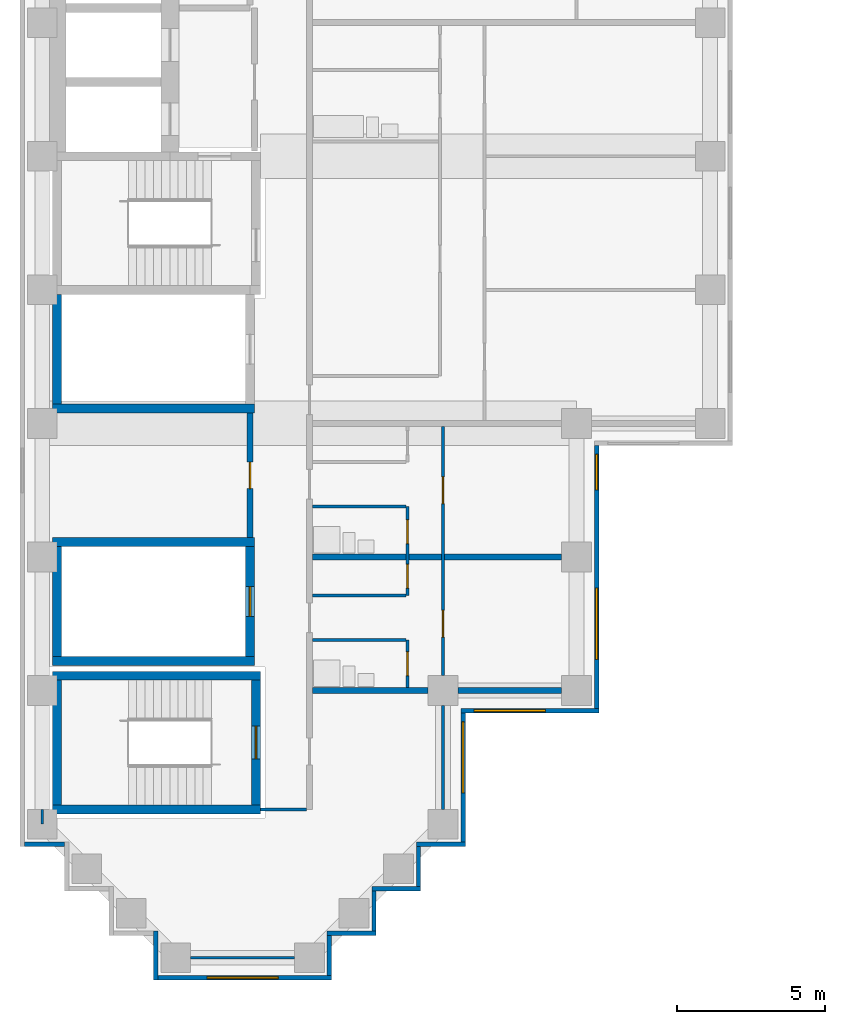
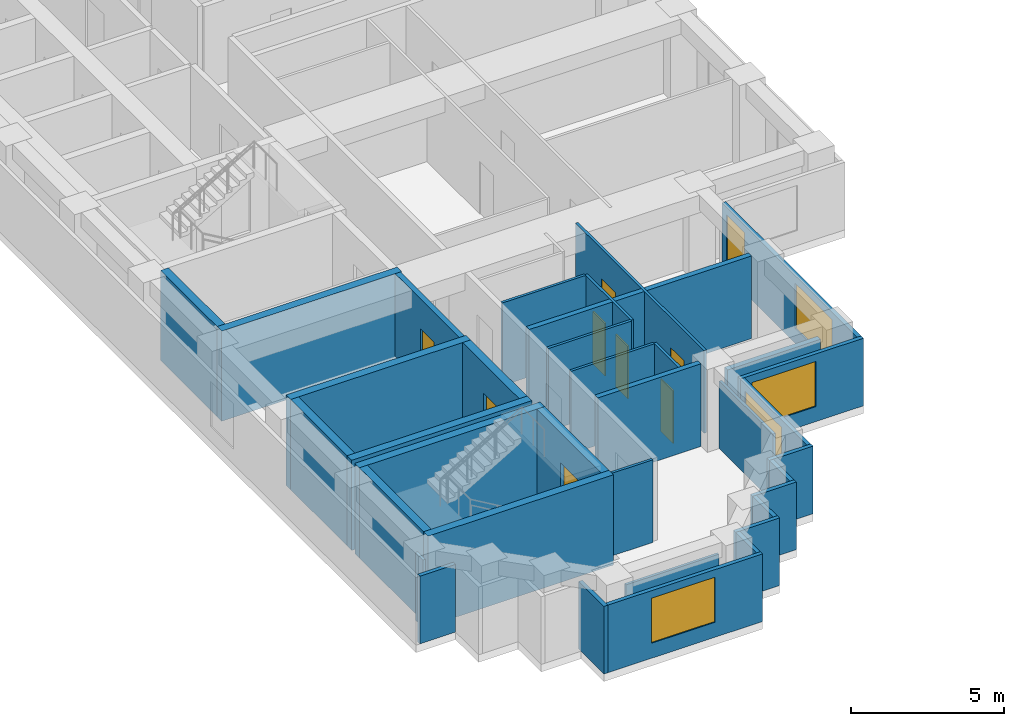
# One storey, part 2 of 12: 36 walls, 8 doors, 5 windows, 13 openings.
"""IFC4 building model written with IfcOpenShell, lengths in metres."""

import ifcopenshell
import ifcopenshell.guid

model = None  # the IFC model being written
_history = None  # IfcOwnerHistory: only IFC2X3 demands one
_inside = {}  # id of a spatial element -> (the spatial element, [elements in it])
_under = {}  # id of a project, library or spatial element -> (it, [spatial elements below it])
_declared = {}  # id of a project -> (the project, [libraries it declares])
_typed = {}  # id of a type object -> (the type object, [elements of that type])
_made_of = {}  # id of a material, layer set ... -> (it, [elements and type objects made of it])


def new_model(schema):
    """Start an empty IFC model of exactly this schema.

    Asked for "IFC4X3", IfcOpenShell would pick the latest addendum, in which some entities
    have other attributes; the version numbers below select the first issue.
    IFC2X3 requires an IfcOwnerHistory on every rooted entity: one is made here for all.
    """
    global model, _history
    if schema == "IFC4X3":
        model = ifcopenshell.file(schema_version=(4, 3, 0, 0))
    else:
        model = ifcopenshell.file(schema=schema)
    _inside.clear()
    _under.clear()
    _declared.clear()
    _typed.clear()
    _made_of.clear()
    _history = None
    if model.schema == "IFC2X3":
        org = make("IfcOrganization", Name="unknown")
        user = make(
            "IfcPersonAndOrganization",
            ThePerson=make("IfcPerson", FamilyName="unknown"),
            TheOrganization=org,
        )
        app = make(
            "IfcApplication",
            ApplicationDeveloper=org,
            Version="unknown",
            ApplicationFullName="unknown",
            ApplicationIdentifier="unknown",
        )
        _history = make(
            "IfcOwnerHistory",
            OwningUser=user,
            OwningApplication=app,
            ChangeAction="ADDED",
            CreationDate=0,
        )
    return model


def make(cls, **values):
    """One entity of the class cls with the attributes given. An attribute that is None is left unset."""
    return model.create_entity(
        cls, **{name: value for name, value in values.items() if value is not None}
    )


def rooted(cls, **values):
    """An entity with a GlobalId (a new one), such as an element, a storey or a relation."""
    return make(cls, GlobalId=ifcopenshell.guid.new(), OwnerHistory=_history, **values)


def si_unit(unit_type, name, prefix=None):
    """IfcSIUnit, for example si_unit("LENGTHUNIT", "METRE", prefix="MILLI")."""
    return make("IfcSIUnit", UnitType=unit_type, Prefix=prefix, Name=name)


def assignment(units):
    """IfcUnitAssignment: the units of a project."""
    return None if units is None else make("IfcUnitAssignment", Units=units)


def point(xyz):
    """IfcCartesianPoint."""
    return None if xyz is None else make("IfcCartesianPoint", Coordinates=xyz)


def direction(xyz):
    """IfcDirection."""
    return None if xyz is None else make("IfcDirection", DirectionRatios=xyz)


def frame(location, z_axis=None, x_axis=None):
    """IfcAxis2Placement3D, a coordinate frame: its origin and axes. An axis left out is left unset."""
    return make(
        "IfcAxis2Placement3D",
        Location=point(location),
        Axis=direction(z_axis),
        RefDirection=direction(x_axis),
    )


def frame_2d(location, x_axis=None):
    """IfcAxis2Placement2D, a coordinate frame in the plane: its origin and x axis."""
    return make(
        "IfcAxis2Placement2D", Location=point(location), RefDirection=direction(x_axis)
    )


def origin():
    """The frame at (0, 0, 0) with its axes left unset."""
    return frame((0.0, 0.0, 0.0))


def place(relative_to, where):
    """IfcLocalPlacement: puts the frame where relative to a parent placement (None: the world)."""
    return make(
        "IfcLocalPlacement", PlacementRelTo=relative_to, RelativePlacement=where
    )


def context(
    kind, dimensions, precision=None, world=None, true_north=None, identifier=None
):
    """IfcGeometricRepresentationContext, for example the 3D "Model" context."""
    return make(
        "IfcGeometricRepresentationContext",
        ContextIdentifier=identifier,
        ContextType=kind,
        CoordinateSpaceDimension=dimensions,
        Precision=precision,
        WorldCoordinateSystem=world,
        TrueNorth=true_north,
    )


def subcontext(parent, identifier, kind, view, scale=None):
    """IfcGeometricRepresentationSubContext, for example "Body" below "Model"."""
    return make(
        "IfcGeometricRepresentationSubContext",
        ContextIdentifier=identifier,
        ContextType=kind,
        ParentContext=parent,
        TargetScale=scale,
        TargetView=view,
    )


def project(units=None, contexts=None):
    """IfcProject with its units and contexts."""
    return rooted(
        "IfcProject",
        Name="project",
        RepresentationContexts=contexts,
        UnitsInContext=assignment(units),
    )


def spatial(cls, under=None, at=None, **own):
    """A site, building, storey or space (cls), placed at a placement, below another one or the project."""
    s = rooted(cls, ObjectPlacement=at, **own)
    if under is not None:
        _under.setdefault(under.id(), (under, []))[1].append(s)
    return s


def profile(cls, at=None, kind="AREA", **sizes):
    """A parametric profile (cls). Its sizes go by their IFC names, for example OverallWidth=200.0."""
    return make(cls, ProfileType=kind, Position=at, **sizes)


def rectangle(**sizes):
    """IfcRectangleProfileDef."""
    return profile("IfcRectangleProfileDef", **sizes)


def extrude(swept, where, along, depth):
    """IfcExtrudedAreaSolid: the profile swept, set in the frame where, extruded along a direction by depth."""
    return make(
        "IfcExtrudedAreaSolid",
        SweptArea=swept,
        Position=where,
        ExtrudedDirection=direction(along),
        Depth=depth,
    )


def shape(context_of_items, identifier, shape_type, items):
    """IfcShapeRepresentation: the items that make up one representation, for example the "Body"."""
    return make(
        "IfcShapeRepresentation",
        ContextOfItems=context_of_items,
        RepresentationIdentifier=identifier,
        RepresentationType=shape_type,
        Items=items,
    )


def material(Name=None, Category=None):
    """IfcMaterial."""
    return make("IfcMaterial", Name=Name, Category=Category)


def layer(
    of_material, thickness, ventilated=None, Name=None, Category=None, Priority=None
):
    """IfcMaterialLayer: one layer of a wall or slab, of a material (None: an air gap)."""
    return make(
        "IfcMaterialLayer",
        Material=of_material,
        LayerThickness=thickness,
        IsVentilated=ventilated,
        Name=Name,
        Category=Category,
        Priority=Priority,
    )


def layer_set(layers, Name=None):
    """IfcMaterialLayerSet."""
    return make("IfcMaterialLayerSet", MaterialLayers=layers, LayerSetName=Name)


def made_of(thing, what):
    """Note that an element or type object is made of a material, layer set ...; save() writes the relation."""
    if what is not None:
        _made_of.setdefault(what.id(), (what, []))[1].append(thing)
    return thing


def type_object(cls, material=None, **own):
    """A type object (cls), such as IfcWallType, which elements share."""
    return made_of(rooted(cls, **own), material)


def element(
    cls,
    number,
    at=None,
    inside=None,
    cuts=None,
    type_object=None,
    material=None,
    context=None,
    identifier="Body",
    shape_type=None,
    held_by="IfcProductDefinitionShape",
    body=None,
    shapes=None,
    **own,
):
    """One element of the class cls, such as IfcWall. Its Tag is "e" and its number.

    at: its placement. inside: the storey or other place that contains it. cuts: it is an
    opening in that element (IfcRelVoidsElement). A single representation is given by context,
    identifier, shape_type and body (its items); several are given by shapes. held_by: the class
    of the entity that holds the representations. save() writes the other relations.
    """
    e = rooted(cls, Tag="e%d" % number, ObjectPlacement=at, **own)
    if body is not None:
        shapes = [shape(context, identifier, shape_type, body)]
    if shapes is not None:
        e.Representation = make(held_by, Representations=shapes)
    if inside is not None:
        _inside.setdefault(inside.id(), (inside, []))[1].append(e)
    if cuts is not None:
        rooted(
            "IfcRelVoidsElement", RelatingBuildingElement=cuts, RelatedOpeningElement=e
        )
    if type_object is not None:
        _typed.setdefault(type_object.id(), (type_object, []))[1].append(e)
    return made_of(e, material)


def fill(opening, filler):
    """IfcRelFillsElement: the door or window that sits in an opening."""
    return rooted(
        "IfcRelFillsElement",
        RelatingOpeningElement=opening,
        RelatedBuildingElement=filler,
    )


def aggregate(whole, parts):
    """IfcRelAggregates: a whole, such as a stair, and the parts it consists of."""
    return rooted("IfcRelAggregates", RelatingObject=whole, RelatedObjects=parts)


def save(model, path):
    """Write the relations noted so far, then the file.

    IfcRelAggregates (storeys below a building ...), IfcRelContainedInSpatialStructure (elements
    in a storey), IfcRelDefinesByType, IfcRelAssociatesMaterial and IfcRelDeclares: one each for
    every whole, place, type object, material and project.
    """
    for whole, parts in _under.values():
        aggregate(whole, parts)
    for where, things in _inside.values():
        rooted(
            "IfcRelContainedInSpatialStructure",
            RelatedElements=things,
            RelatingStructure=where,
        )
    for kind, things in _typed.values():
        rooted("IfcRelDefinesByType", RelatedObjects=things, RelatingType=kind)
    for what, things in _made_of.values():
        rooted("IfcRelAssociatesMaterial", RelatedObjects=things, RelatingMaterial=what)
    for by, libraries in _declared.values():
        rooted("IfcRelDeclares", RelatingContext=by, RelatedDefinitions=libraries)
    model.write(path)


model = new_model("IFC4")

# Units and contexts
model_context = context("Model", 3, precision=1e-05, world=origin(), true_north=direction((0.0, 1.0)))
body_context = subcontext(model_context, "Body", "Model", "MODEL_VIEW")
ifc_project = project(units=[si_unit("LENGTHUNIT", "METRE"), si_unit("AREAUNIT", "SQUARE_METRE"), si_unit("VOLUMEUNIT", "CUBIC_METRE"), si_unit("PLANEANGLEUNIT", "RADIAN"), si_unit("MASSUNIT", "GRAM", prefix="KILO")], contexts=[model_context])

# Site, building, storey
site_placement = place(None, origin())
site = spatial("IfcSite", under=ifc_project, at=site_placement, CompositionType="ELEMENT")
building_placement = place(site_placement, origin())
building = spatial("IfcBuilding", under=site, at=building_placement, Name="Firuza Court", CompositionType="ELEMENT")
storey_placement = place(building_placement, frame((0.0, 0.0, 166.39990234375)))
storey = spatial("IfcBuildingStorey", under=building, at=storey_placement, Name="L42", CompositionType="ELEMENT", Elevation=166.39990234375)

# Walls
ifc_material_1 = material(Name="Moisture-resistant gypsum board partition")
ifc_layer_1 = layer(ifc_material_1, 0.10009765625)
ifc_layer_set_1 = layer_set([ifc_layer_1], Name="Moisture-resistant gypsum board partition")
wall_type_1 = type_object("IfcWallType", Name="Bathroom partition 100", PredefinedType="PLUMBINGWALL", material=ifc_layer_set_1)
for number, where, z_axis, x_axis, name in (
    (1, (9.10009765625, 10.699951171875, 0.0), (0.0, 0.0, 1.0), (1.0, 0.0, 0.0), "Bathroom partition 100 L42"),
    (2, (9.10009765625, 15.199951171875, 0.0), (0.0, 0.0, 1.0), (1.0, 0.0, 0.0), "Bathroom partition 100 L42"),
):
    element("IfcWall", number, at=place(storey_placement, frame(where, z_axis=z_axis, x_axis=x_axis)), inside=storey, type_object=wall_type_1, Name=name, PredefinedType="PLUMBINGWALL", context=body_context, shape_type="SweptSolid", body=[
        extrude(rectangle(XDim=3.14990234375, YDim=0.10009765625, at=frame_2d((1.574951171875, 0.0))), origin(), (0.0, 0.0, 1.0), 3.300048828125),
    ])
ifc_material_2 = material(Name="Concrete C60/75", Category="concrete")
ifc_layer_2 = layer(ifc_material_2, 0.300048828125)
ifc_layer_set_2 = layer_set([ifc_layer_2], Name="Concrete C60/75")
wall_type_2 = type_object("IfcWallType", Name="Core wall 300 C60/75", PredefinedType="SHEAR", material=ifc_layer_set_2)
for number, where, z_axis, x_axis, name in (
    (3, (0.35009765625, 5.0, -0.2998046875), (0.0, 0.0, 1.0), (1.0, 0.0, 0.0), "Core wall stair L42"),
    (4, (0.35009765625, 9.5, -0.2998046875), (0.0, 0.0, 1.0), (1.0, 0.0, 0.0), "Core wall stair L42"),
):
    element("IfcWall", number, at=place(storey_placement, frame(where, z_axis=z_axis, x_axis=x_axis)), inside=storey, type_object=wall_type_2, Name=name, PredefinedType="SHEAR", context=body_context, shape_type="SweptSolid", body=[
        extrude(rectangle(XDim=7.0, YDim=0.300048828125, at=frame_2d((3.5, 0.0))), origin(), (0.0, 0.0, 1.0), 3.599853515625),
    ])
for number, where, z_axis, x_axis, name in (
    (5, (0.35009765625, 10.0, -0.2998046875), (0.0, 0.0, 1.0), (1.0, 0.0, 0.0), "Core wall riser L42"),
    (6, (0.35009765625, 14.0, -0.2998046875), (0.0, 0.0, 1.0), (1.0, 0.0, 0.0), "Core wall riser L42"),
    (7, (0.35009765625, 18.5, -0.2998046875), (0.0, 0.0, 1.0), (1.0, 0.0, 0.0), "Core wall riser L42"),
):
    element("IfcWall", number, at=place(storey_placement, frame(where, z_axis=z_axis, x_axis=x_axis)), inside=storey, type_object=wall_type_2, Name=name, PredefinedType="SHEAR", context=body_context, shape_type="SweptSolid", body=[
        extrude(rectangle(XDim=6.7998046875, YDim=0.300048828125, at=frame_2d((3.39990234375, 0.0))), origin(), (0.0, 0.0, 1.0), 3.599853515625),
    ])
wall_1_placement = place(storey_placement, frame((0.5, 5.14990234375, -0.2998046875), z_axis=(0.0, 0.0, 1.0), x_axis=(0.0, 1.0, 0.0)))
element("IfcWall", 8, at=wall_1_placement, inside=storey, type_object=wall_type_2, Name="Core wall stair L42", PredefinedType="SHEAR", context=body_context, shape_type="SweptSolid", body=[
    extrude(rectangle(XDim=4.2001953125, YDim=0.300048828125, at=frame_2d((2.10009765625, 0.0))), origin(), (0.0, 0.0, 1.0), 3.599853515625),
])
for number, where, z_axis, x_axis, name in (
    (9, (0.5, 10.14990234375, -0.2998046875), (0.0, 0.0, 1.0), (0.0, 1.0, 0.0), "Core wall riser L42"),
    (10, (0.5, 18.64990234375, -0.2998046875), (0.0, 0.0, 1.0), (0.0, 1.0, 0.0), "Core wall riser L42"),
):
    element("IfcWall", number, at=place(storey_placement, frame(where, z_axis=z_axis, x_axis=x_axis)), inside=storey, type_object=wall_type_2, Name=name, PredefinedType="SHEAR", context=body_context, shape_type="SweptSolid", body=[
        extrude(rectangle(XDim=3.7001953125, YDim=0.300048828125, at=frame_2d((1.85009765625, 0.0))), origin(), (0.0, 0.0, 1.0), 3.599853515625),
    ])

# Wall, opening, door
wall_2_placement = place(storey_placement, frame((7.0, 10.14990234375, -0.2998046875), z_axis=(0.0, 0.0, 1.0), x_axis=(0.0, 1.0, 0.0)))
wall_2 = element("IfcWall", 11, at=wall_2_placement, inside=storey, type_object=wall_type_2, Name="Core wall riser L42", PredefinedType="SHEAR", context=body_context, shape_type="SweptSolid", body=[
    extrude(rectangle(XDim=3.7001953125, YDim=0.300048828125, at=frame_2d((1.85009765625, 0.0))), origin(), (0.0, 0.0, 1.0), 3.599853515625),
])
opening_1_placement = place(wall_2_placement, frame((1.35009765625, 0.0, 0.300048828125)))
opening_1 = element("IfcOpeningElement", 12, at=opening_1_placement, cuts=wall_2, Name="Opening D42011", PredefinedType="OPENING", context=body_context, shape_type="SweptSolid", body=[
    extrude(rectangle(XDim=1.0, YDim=2.10009765625, at=frame_2d((0.5, 1.050048828125))), frame((0.0, 0.162109375, 0.0), z_axis=(0.0, -1.0, 0.0), x_axis=(1.0, 0.0, 0.0)), (0.0, 0.0, 1.0), 0.323974609375),
])
ifc_material_3 = material(Name="Timber door leaf in hardwood frame", Category="wood")
door_type_1 = type_object("IfcDoorType", Name="Riser door 1000", OperationType="SINGLE_SWING_LEFT", PredefinedType="DOOR", material=ifc_material_3)
door_1_placement = place(opening_1_placement, origin())
door_1 = element("IfcDoor", 13, at=door_1_placement, inside=storey, type_object=door_type_1, Name="Riser door R4", OperationType="SINGLE_SWING_LEFT", OverallHeight=2.10009765625, OverallWidth=1.0, PredefinedType="DOOR", context=body_context, shape_type="SweptSolid", body=[
    extrude(rectangle(XDim=1.0, YDim=2.10009765625, at=frame_2d((0.5, 1.050048828125))), frame((0.0, 0.02490234375, 0.0), z_axis=(0.0, -1.0, 0.0), x_axis=(1.0, 0.0, 0.0)), (0.0, 0.0, 1.0), 0.050048828125),
])
fill(opening_1, door_1)

wall_3_placement = place(storey_placement, frame((7.199951171875, 5.14990234375, -0.2998046875), z_axis=(0.0, 0.0, 1.0), x_axis=(0.0, 1.0, 0.0)))
wall_3 = element("IfcWall", 14, at=wall_3_placement, inside=storey, type_object=wall_type_2, Name="Core wall stair L42", PredefinedType="SHEAR", context=body_context, shape_type="SweptSolid", body=[
    extrude(rectangle(XDim=4.2001953125, YDim=0.300048828125, at=frame_2d((2.10009765625, 0.0))), origin(), (0.0, 0.0, 1.0), 3.599853515625),
])
opening_2_placement = place(wall_3_placement, frame((1.550048828125, 0.0, 0.300048828125)))
opening_2 = element("IfcOpeningElement", 15, at=opening_2_placement, cuts=wall_3, Name="Opening D42017", PredefinedType="OPENING", context=body_context, shape_type="SweptSolid", body=[
    extrude(rectangle(XDim=1.10009765625, YDim=2.10009765625, at=frame_2d((0.550048828125, 1.050048828125))), frame((0.0, 0.162109375, 0.0), z_axis=(0.0, -1.0, 0.0), x_axis=(1.0, 0.0, 0.0)), (0.0, 0.0, 1.0), 0.323974609375),
])
ifc_material_4 = material(Name="Timber door leaf in hardwood frame", Category="wood")
door_type_2 = type_object("IfcDoorType", Name="Stair door 1100", OperationType="SINGLE_SWING_LEFT", PredefinedType="DOOR", material=ifc_material_4)
door_2_placement = place(opening_2_placement, origin())
door_2 = element("IfcDoor", 16, at=door_2_placement, inside=storey, type_object=door_type_2, Name="Stair door S5", OperationType="SINGLE_SWING_LEFT", OverallHeight=2.10009765625, OverallWidth=1.10009765625, PredefinedType="DOOR", context=body_context, shape_type="SweptSolid", body=[
    extrude(rectangle(XDim=1.10009765625, YDim=2.10009765625, at=frame_2d((0.550048828125, 1.050048828125))), frame((0.0, 0.02490234375, 0.0), z_axis=(0.0, -1.0, 0.0), x_axis=(1.0, 0.0, 0.0)), (0.0, 0.0, 1.0), 0.050048828125),
])
fill(opening_2, door_2)

ifc_material_5 = material(Name="Blockwork, plastered both sides", Category="masonry")
ifc_layer_3 = layer(ifc_material_5, 0.199951171875)
ifc_layer_set_3 = layer_set([ifc_layer_3], Name="Blockwork, plastered both sides")
wall_type_3 = type_object("IfcWallType", Name="Corridor wall 200", PredefinedType="PARTITIONING", material=ifc_layer_set_3)
wall_4_placement = place(storey_placement, frame((7.0, 14.14990234375, 0.0), z_axis=(0.0, 0.0, 1.0), x_axis=(0.0, 1.0, 0.0)))
wall_4 = element("IfcWall", 17, at=wall_4_placement, inside=storey, type_object=wall_type_3, Name="Corridor wall 200 L42", PredefinedType="PARTITIONING", context=body_context, shape_type="SweptSolid", body=[
    extrude(rectangle(XDim=4.2001953125, YDim=0.199951171875, at=frame_2d((2.10009765625, 0.0))), origin(), (0.0, 0.0, 1.0), 3.300048828125),
])
opening_3_placement = place(wall_4_placement, frame((1.64990234375, 0.0, 0.0)))
opening_3 = element("IfcOpeningElement", 18, at=opening_3_placement, cuts=wall_4, Name="Opening D42027", PredefinedType="OPENING", context=body_context, shape_type="SweptSolid", body=[
    extrude(rectangle(XDim=0.89990234375, YDim=2.10009765625, at=frame_2d((0.449951171875, 1.050048828125))), frame((0.0, 0.11181640625, 0.0), z_axis=(0.0, -1.0, 0.0), x_axis=(1.0, 0.0, 0.0)), (0.0, 0.0, 1.0), 0.223876953125),
])
ifc_material_6 = material(Name="Timber door leaf in hardwood frame", Category="wood")
door_type_3 = type_object("IfcDoorType", Name="Room door 900 EI 30", OperationType="SINGLE_SWING_LEFT", PredefinedType="DOOR", material=ifc_material_6)
door_3_placement = place(opening_3_placement, origin())
door_3 = element("IfcDoor", 19, at=door_3_placement, inside=storey, type_object=door_type_3, Name="Meeting room door", OperationType="SINGLE_SWING_LEFT", OverallHeight=2.10009765625, OverallWidth=0.89990234375, PredefinedType="DOOR", context=body_context, shape_type="SweptSolid", body=[
    extrude(rectangle(XDim=0.89990234375, YDim=2.10009765625, at=frame_2d((0.449951171875, 1.050048828125))), frame((0.0, 0.02490234375, 0.0), z_axis=(0.0, -1.0, 0.0), x_axis=(1.0, 0.0, 0.0)), (0.0, 0.0, 1.0), 0.050048828125),
])
fill(opening_3, door_3)

# Walls
ifc_material_7 = material(Name="Timber stud partition, plasterboard both sides", Category="wood")
ifc_layer_4 = layer(ifc_material_7, 0.10009765625)
ifc_layer_set_4 = layer_set([ifc_layer_4], Name="Timber stud partition, plasterboard both sides")
wall_type_4 = type_object("IfcWallType", Name="Partition wall 100", PredefinedType="PARTITIONING", material=ifc_layer_set_4)
wall_5_placement = place(storey_placement, frame((5.0, 0.0, 0.0), z_axis=(0.0, 0.0, 1.0), x_axis=(1.0, 0.0, 0.0)))
element("IfcWall", 20, at=wall_5_placement, inside=storey, type_object=wall_type_4, Name="Partition wall 100 L42", PredefinedType="PARTITIONING", context=body_context, shape_type="SweptSolid", body=[
    extrude(rectangle(XDim=3.5, YDim=0.10009765625, at=frame_2d((1.75, 0.0))), origin(), (0.0, 0.0, 1.0), 2.7001953125),
])
wall_6_placement = place(storey_placement, frame((0.0, 4.5, 0.0), z_axis=(0.0, 0.0, 1.0), x_axis=(0.0, 1.0, 0.0)))
element("IfcWall", 21, at=wall_6_placement, inside=storey, type_object=wall_type_4, Name="Partition wall 100 L42", PredefinedType="PARTITIONING", context=body_context, shape_type="SweptSolid", body=[
    extrude(rectangle(XDim=0.5, YDim=0.10009765625, at=frame_2d((0.25, 0.0))), origin(), (0.0, 0.0, 1.0), 2.7001953125),
])
wall_7_placement = place(storey_placement, frame((7.34912109375, 5.0, 0.0), z_axis=(0.0, 0.0, 1.0), x_axis=(1.0, 0.0, 0.0)))
element("IfcWall", 22, at=wall_7_placement, inside=storey, type_object=wall_type_4, Name="Partition wall 100 L42", PredefinedType="PARTITIONING", context=body_context, shape_type="SweptSolid", body=[
    extrude(rectangle(XDim=1.55078125, YDim=0.10009765625, at=frame_2d((0.775390625, 0.0))), origin(), (0.0, 0.0, 1.0), 3.300048828125),
])
wall_8_placement = place(storey_placement, frame((13.5, 5.0, 0.0), z_axis=(0.0, 0.0, 1.0), x_axis=(0.0, 1.0, 0.0)))
element("IfcWall", 23, at=wall_8_placement, inside=storey, type_object=wall_type_4, Name="Partition wall 100 L42", PredefinedType="PARTITIONING", context=body_context, shape_type="SweptSolid", body=[
    extrude(rectangle(XDim=3.5, YDim=0.10009765625, at=frame_2d((1.75, 0.0))), origin(), (0.0, 0.0, 1.0), 2.7001953125),
])

# Wall, opening, door
wall_9_placement = place(storey_placement, frame((12.300048828125, 9.10009765625, 0.0), z_axis=(0.0, 0.0, 1.0), x_axis=(0.0, 1.0, 0.0)))
wall_9 = element("IfcWall", 24, at=wall_9_placement, inside=storey, type_object=wall_type_4, Name="Partition wall 100 L42", PredefinedType="PARTITIONING", context=body_context, shape_type="SweptSolid", body=[
    extrude(rectangle(XDim=1.599853515625, YDim=0.10009765625, at=frame_2d((0.7998046875, 0.0))), origin(), (0.0, 0.0, 1.0), 3.300048828125),
])
opening_4_placement = place(wall_9_placement, frame((0.39990234375, 0.0, 0.0)))
opening_4 = element("IfcOpeningElement", 25, at=opening_4_placement, cuts=wall_9, Name="Opening D42022", PredefinedType="OPENING", context=body_context, shape_type="SweptSolid", body=[
    extrude(rectangle(XDim=0.800048828125, YDim=2.10009765625, at=frame_2d((0.39990234375, 1.050048828125))), frame((0.0, 0.06201171875, 0.0), z_axis=(0.0, -1.0, 0.0), x_axis=(1.0, 0.0, 0.0)), (0.0, 0.0, 1.0), 0.1240234375),
])
ifc_material_8 = material(Name="Timber door leaf in hardwood frame", Category="wood")
door_type_4 = type_object("IfcDoorType", Name="Bathroom door 800", OperationType="SINGLE_SWING_LEFT", PredefinedType="DOOR", material=ifc_material_8)
door_4_placement = place(opening_4_placement, origin())
door_4 = element("IfcDoor", 26, at=door_4_placement, inside=storey, type_object=door_type_4, Name="Bathroom door", OperationType="SINGLE_SWING_RIGHT", OverallHeight=2.10009765625, OverallWidth=0.800048828125, PredefinedType="DOOR", context=body_context, shape_type="SweptSolid", body=[
    extrude(rectangle(XDim=0.800048828125, YDim=2.10009765625, at=frame_2d((0.39990234375, 1.050048828125))), frame((0.0, 0.02490234375, 0.0), z_axis=(0.0, -1.0, 0.0), x_axis=(1.0, 0.0, 0.0)), (0.0, 0.0, 1.0), 0.050048828125),
])
fill(opening_4, door_4)

# Wall, openings, doors
wall_10_placement = place(storey_placement, frame((13.5, 9.5, 0.0), z_axis=(0.0, 0.0, 1.0), x_axis=(0.0, 1.0, 0.0)))
wall_10 = element("IfcWall", 27, at=wall_10_placement, inside=storey, type_object=wall_type_4, Name="Partition wall 100 L42", PredefinedType="PARTITIONING", context=body_context, shape_type="SweptSolid", body=[
    extrude(rectangle(XDim=8.39990234375, YDim=0.10009765625, at=frame_2d((4.199951171875, 0.0))), origin(), (0.0, 0.0, 1.0), 3.300048828125),
])
opening_5_placement = place(wall_10_placement, frame((5.800048828125, 0.0, 0.0)))
opening_5 = element("IfcOpeningElement", 28, at=opening_5_placement, cuts=wall_10, Name="Opening D42023", PredefinedType="OPENING", context=body_context, shape_type="SweptSolid", body=[
    extrude(rectangle(XDim=0.89990234375, YDim=2.10009765625, at=frame_2d((0.449951171875, 1.050048828125))), frame((0.0, 0.06201171875, 0.0), z_axis=(0.0, -1.0, 0.0), x_axis=(1.0, 0.0, 0.0)), (0.0, 0.0, 1.0), 0.1240234375),
])
opening_6_placement = place(wall_10_placement, frame((1.300048828125, 0.0, 0.0)))
opening_6 = element("IfcOpeningElement", 29, at=opening_6_placement, cuts=wall_10, Name="Opening D42024", PredefinedType="OPENING", context=body_context, shape_type="SweptSolid", body=[
    extrude(rectangle(XDim=0.89990234375, YDim=2.10009765625, at=frame_2d((0.449951171875, 1.050048828125))), frame((0.0, 0.06201171875, 0.0), z_axis=(0.0, -1.0, 0.0), x_axis=(1.0, 0.0, 0.0)), (0.0, 0.0, 1.0), 0.1240234375),
])
ifc_material_9 = material(Name="Timber door leaf in hardwood frame", Category="wood")
door_type_5 = type_object("IfcDoorType", Name="Room door 900", OperationType="SINGLE_SWING_LEFT", PredefinedType="DOOR", material=ifc_material_9)
door_5_placement = place(opening_5_placement, frame((0.89990234375, 0.0, 0.0), z_axis=(0.0, 0.0, 1.0), x_axis=(-1.0, 0.0, 0.0)))
door_5 = element("IfcDoor", 30, at=door_5_placement, inside=storey, type_object=door_type_5, Name="Studio room door", OperationType="SINGLE_SWING_RIGHT", OverallHeight=2.10009765625, OverallWidth=0.89990234375, PredefinedType="DOOR", context=body_context, shape_type="SweptSolid", body=[
    extrude(rectangle(XDim=0.89990234375, YDim=2.10009765625, at=frame_2d((0.449951171875, 1.050048828125))), frame((0.0, 0.02490234375, 0.0), z_axis=(0.0, -1.0, 0.0), x_axis=(1.0, 0.0, 0.0)), (0.0, 0.0, 1.0), 0.050048828125),
])
fill(opening_5, door_5)
door_6_placement = place(opening_6_placement, frame((0.89990234375, 0.0, 0.0), z_axis=(0.0, 0.0, 1.0), x_axis=(-1.0, 0.0, 0.0)))
door_6 = element("IfcDoor", 31, at=door_6_placement, inside=storey, type_object=door_type_5, Name="Studio room door", OperationType="SINGLE_SWING_RIGHT", OverallHeight=2.10009765625, OverallWidth=0.89990234375, PredefinedType="DOOR", context=body_context, shape_type="SweptSolid", body=[
    extrude(rectangle(XDim=0.89990234375, YDim=2.10009765625, at=frame_2d((0.449951171875, 1.050048828125))), frame((0.0, 0.02490234375, 0.0), z_axis=(0.0, -1.0, 0.0), x_axis=(1.0, 0.0, 0.0)), (0.0, 0.0, 1.0), 0.050048828125),
])
fill(opening_6, door_6)

# Wall
wall_11_placement = place(storey_placement, frame((9.10009765625, 12.199951171875, 0.0), z_axis=(0.0, 0.0, 1.0), x_axis=(1.0, 0.0, 0.0)))
element("IfcWall", 32, at=wall_11_placement, inside=storey, type_object=wall_type_4, Name="Partition wall 100 L42", PredefinedType="PARTITIONING", context=body_context, shape_type="SweptSolid", body=[
    extrude(rectangle(XDim=3.14990234375, YDim=0.10009765625, at=frame_2d((1.574951171875, 0.0))), origin(), (0.0, 0.0, 1.0), 3.300048828125),
])

# Wall, openings, doors
wall_12_placement = place(storey_placement, frame((12.300048828125, 12.199951171875, 0.0), z_axis=(0.0, 0.0, 1.0), x_axis=(0.0, 1.0, 0.0)))
wall_12 = element("IfcWall", 33, at=wall_12_placement, inside=storey, type_object=wall_type_4, Name="Partition wall 100 L42", PredefinedType="PARTITIONING", context=body_context, shape_type="SweptSolid", body=[
    extrude(rectangle(XDim=3.0, YDim=0.10009765625, at=frame_2d((1.5, 0.0))), origin(), (0.0, 0.0, 1.0), 3.300048828125),
])
opening_7_placement = place(wall_12_placement, frame((1.75, 0.0, 0.0)))
opening_7 = element("IfcOpeningElement", 34, at=opening_7_placement, cuts=wall_12, Name="Opening D42025", PredefinedType="OPENING", context=body_context, shape_type="SweptSolid", body=[
    extrude(rectangle(XDim=0.800048828125, YDim=2.10009765625, at=frame_2d((0.39990234375, 1.050048828125))), frame((0.0, 0.06201171875, 0.0), z_axis=(0.0, -1.0, 0.0), x_axis=(1.0, 0.0, 0.0)), (0.0, 0.0, 1.0), 0.1240234375),
])
opening_8_placement = place(wall_12_placement, frame((0.25, 0.0, 0.0)))
opening_8 = element("IfcOpeningElement", 35, at=opening_8_placement, cuts=wall_12, Name="Opening D42026", PredefinedType="OPENING", context=body_context, shape_type="SweptSolid", body=[
    extrude(rectangle(XDim=0.800048828125, YDim=2.10009765625, at=frame_2d((0.39990234375, 1.050048828125))), frame((0.0, 0.06201171875, 0.0), z_axis=(0.0, -1.0, 0.0), x_axis=(1.0, 0.0, 0.0)), (0.0, 0.0, 1.0), 0.1240234375),
])
door_7_placement = place(opening_7_placement, origin())
door_7 = element("IfcDoor", 36, at=door_7_placement, inside=storey, type_object=door_type_4, Name="Bathroom door", OperationType="SINGLE_SWING_LEFT", OverallHeight=2.10009765625, OverallWidth=0.800048828125, PredefinedType="DOOR", context=body_context, shape_type="SweptSolid", body=[
    extrude(rectangle(XDim=0.800048828125, YDim=2.10009765625, at=frame_2d((0.39990234375, 1.050048828125))), frame((0.0, 0.02490234375, 0.0), z_axis=(0.0, -1.0, 0.0), x_axis=(1.0, 0.0, 0.0)), (0.0, 0.0, 1.0), 0.050048828125),
])
fill(opening_7, door_7)
ifc_material_10 = material(Name="Timber door leaf in hardwood frame", Category="wood")
door_type_6 = type_object("IfcDoorType", Name="Room door 800", OperationType="SINGLE_SWING_LEFT", PredefinedType="DOOR", material=ifc_material_10)
door_8_placement = place(opening_8_placement, origin())
door_8 = element("IfcDoor", 37, at=door_8_placement, inside=storey, type_object=door_type_6, Name="Kitchen door", OperationType="SINGLE_SWING_LEFT", OverallHeight=2.10009765625, OverallWidth=0.800048828125, PredefinedType="DOOR", context=body_context, shape_type="SweptSolid", body=[
    extrude(rectangle(XDim=0.800048828125, YDim=2.10009765625, at=frame_2d((0.39990234375, 1.050048828125))), frame((0.0, 0.02490234375, 0.0), z_axis=(0.0, -1.0, 0.0), x_axis=(1.0, 0.0, 0.0)), (0.0, 0.0, 1.0), 0.050048828125),
])
fill(opening_8, door_8)

# Walls
ifc_layer_5 = layer(ifc_material_5, 0.199951171875)
ifc_layer_set_5 = layer_set([ifc_layer_5], Name="Blockwork, plastered both sides")
wall_type_5 = type_object("IfcWallType", Name="Party wall 200", PredefinedType="PARTITIONING", material=ifc_layer_set_5)
wall_13_placement = place(storey_placement, frame((9.10009765625, 9.0, 0.0), z_axis=(0.0, 0.0, 1.0), x_axis=(1.0, 0.0, 0.0)))
element("IfcWall", 38, at=wall_13_placement, inside=storey, type_object=wall_type_5, Name="Party wall 200 L42", PredefinedType="PARTITIONING", context=body_context, shape_type="SweptSolid", body=[
    extrude(rectangle(XDim=3.89990234375, YDim=0.199951171875, at=frame_2d((1.949951171875, 0.0))), origin(), (0.0, 0.0, 1.0), 3.300048828125),
])
wall_14_placement = place(storey_placement, frame((14.0, 9.0, 0.0), z_axis=(0.0, 0.0, 1.0), x_axis=(1.0, 0.0, 0.0)))
element("IfcWall", 39, at=wall_14_placement, inside=storey, type_object=wall_type_5, Name="Party wall 200 L42", PredefinedType="PARTITIONING", context=body_context, shape_type="SweptSolid", body=[
    extrude(rectangle(XDim=3.5, YDim=0.199951171875, at=frame_2d((1.75, 0.0))), origin(), (0.0, 0.0, 1.0), 2.7001953125),
])
wall_15_placement = place(storey_placement, frame((9.10009765625, 13.5, 0.0), z_axis=(0.0, 0.0, 1.0), x_axis=(1.0, 0.0, 0.0)))
element("IfcWall", 40, at=wall_15_placement, inside=storey, type_object=wall_type_5, Name="Party wall 200 L42", PredefinedType="PARTITIONING", context=body_context, shape_type="SweptSolid", body=[
    extrude(rectangle(XDim=8.39990234375, YDim=0.199951171875, at=frame_2d((4.199951171875, 0.0))), origin(), (0.0, 0.0, 1.0), 3.300048828125),
])
ifc_material_11 = material(Name="Ceramic tile", Category="ceramic")
ifc_layer_6 = layer(ifc_material_11, 0.02001953125)
ifc_material_12 = material(Name="Mineral wool insulation", Category="insulation")
ifc_layer_7 = layer(ifc_material_12, 0.050048828125)
ifc_material_13 = material(Name="Concrete C40/50 precast", Category="concrete")
ifc_layer_8 = layer(ifc_material_13, 0.080078125)
ifc_layer_set_6 = layer_set([ifc_layer_6, ifc_layer_7, ifc_layer_8], Name="Concrete C40/50 precast")
wall_type_6 = type_object("IfcWallType", Name="Precast cladding wall with turquoise TILE PANEL face 150", PredefinedType="STANDARD", material=ifc_layer_set_6)
wall_16_placement = place(storey_placement, frame((9.675048828125, -0.60009765625, 0.0), z_axis=(0.0, 0.0, 1.0), x_axis=(0.0, 1.0, 0.0)))
element("IfcWall", 41, at=wall_16_placement, inside=storey, type_object=wall_type_6, Name="Facade wall L42 E", PredefinedType="STANDARD", context=body_context, shape_type="SweptSolid", body=[
    extrude(rectangle(XDim=1.35009765625, YDim=0.14990234375, at=frame_2d((0.675048828125, 0.0))), origin(), (0.0, 0.0, 1.0), 2.7001953125),
])
wall_17_placement = place(storey_placement, frame((9.60009765625, 0.824951171875, 0.0), z_axis=(0.0, 0.0, 1.0), x_axis=(1.0, 0.0, 0.0)))
element("IfcWall", 42, at=wall_17_placement, inside=storey, type_object=wall_type_6, Name="Facade wall L42 S", PredefinedType="STANDARD", context=body_context, shape_type="SweptSolid", body=[
    extrude(rectangle(XDim=1.64990234375, YDim=0.14990234375, at=frame_2d((0.824951171875, 0.0))), origin(), (0.0, 0.0, 1.0), 2.7001953125),
])
wall_18_placement = place(storey_placement, frame((11.175048828125, 0.89990234375, 0.0), z_axis=(0.0, 0.0, 1.0), x_axis=(0.0, 1.0, 0.0)))
element("IfcWall", 43, at=wall_18_placement, inside=storey, type_object=wall_type_6, Name="Facade wall L42 E", PredefinedType="STANDARD", context=body_context, shape_type="SweptSolid", body=[
    extrude(rectangle(XDim=1.35009765625, YDim=0.14990234375, at=frame_2d((0.675048828125, 0.0))), origin(), (0.0, 0.0, 1.0), 2.7001953125),
])
wall_19_placement = place(storey_placement, frame((11.10009765625, 2.324951171875, 0.0), z_axis=(0.0, 0.0, 1.0), x_axis=(1.0, 0.0, 0.0)))
element("IfcWall", 44, at=wall_19_placement, inside=storey, type_object=wall_type_6, Name="Facade wall L42 S", PredefinedType="STANDARD", context=body_context, shape_type="SweptSolid", body=[
    extrude(rectangle(XDim=1.64990234375, YDim=0.14990234375, at=frame_2d((0.824951171875, 0.0))), origin(), (0.0, 0.0, 1.0), 2.7001953125),
])
wall_20_placement = place(storey_placement, frame((12.675048828125, 2.39990234375, 0.0), z_axis=(0.0, 0.0, 1.0), x_axis=(0.0, 1.0, 0.0)))
element("IfcWall", 45, at=wall_20_placement, inside=storey, type_object=wall_type_6, Name="Facade wall L42 E", PredefinedType="STANDARD", context=body_context, shape_type="SweptSolid", body=[
    extrude(rectangle(XDim=1.35009765625, YDim=0.14990234375, at=frame_2d((0.675048828125, 0.0))), origin(), (0.0, 0.0, 1.0), 2.7001953125),
])
wall_21_placement = place(storey_placement, frame((12.60009765625, 3.824951171875, 0.0), z_axis=(0.0, 0.0, 1.0), x_axis=(1.0, 0.0, 0.0)))
element("IfcWall", 46, at=wall_21_placement, inside=storey, type_object=wall_type_6, Name="Facade wall L42 S", PredefinedType="STANDARD", context=body_context, shape_type="SweptSolid", body=[
    extrude(rectangle(XDim=1.64990234375, YDim=0.14990234375, at=frame_2d((0.824951171875, 0.0))), origin(), (0.0, 0.0, 1.0), 2.7001953125),
])

# Wall, opening, window
wall_22_placement = place(storey_placement, frame((14.175048828125, 3.89990234375, 0.0), z_axis=(0.0, 0.0, 1.0), x_axis=(0.0, 1.0, 0.0)))
wall_22 = element("IfcWall", 47, at=wall_22_placement, inside=storey, type_object=wall_type_6, Name="Facade wall L42 E", PredefinedType="STANDARD", context=body_context, shape_type="SweptSolid", body=[
    extrude(rectangle(XDim=4.35009765625, YDim=0.14990234375, at=frame_2d((2.175048828125, 0.0))), origin(), (0.0, 0.0, 1.0), 2.7001953125),
])
opening_9_placement = place(wall_22_placement, frame((1.64990234375, 0.0, 0.60009765625)))
opening_9 = element("IfcOpeningElement", 48, at=opening_9_placement, cuts=wall_22, Name="Opening W1", PredefinedType="OPENING", context=body_context, shape_type="SweptSolid", body=[
    extrude(rectangle(XDim=2.39990234375, YDim=1.800048828125, at=frame_2d((1.199951171875, 0.89990234375))), frame((0.0, 0.0869140625, 0.0), z_axis=(0.0, -1.0, 0.0), x_axis=(1.0, 0.0, 0.0)), (0.0, 0.0, 1.0), 0.173828125),
])
ifc_material_14 = material(Name="Aluminium frame, triple clear glazing", Category="aluminium")
window_type_1 = type_object("IfcWindowType", Name="Window W1 2400 x 1800", PartitioningType="SINGLE_PANEL", PredefinedType="WINDOW", material=ifc_material_14)
window_1_placement = place(opening_9_placement, origin())
window_1 = element("IfcWindow", 49, at=window_1_placement, inside=storey, type_object=window_type_1, Name="Window L42", OverallHeight=1.800048828125, OverallWidth=2.39990234375, PartitioningType="SINGLE_PANEL", PredefinedType="WINDOW", context=body_context, shape_type="SweptSolid", body=[
    extrude(rectangle(XDim=2.39990234375, YDim=1.800048828125, at=frame_2d((1.199951171875, 0.89990234375))), frame((0.0, 0.030029296875, 0.0), z_axis=(0.0, -1.0, 0.0), x_axis=(1.0, 0.0, 0.0)), (0.0, 0.0, 1.0), 0.06005859375),
])
fill(opening_9, window_1)

wall_23_placement = place(storey_placement, frame((14.10009765625, 8.324951171875, 0.0), z_axis=(0.0, 0.0, 1.0), x_axis=(1.0, 0.0, 0.0)))
wall_23 = element("IfcWall", 50, at=wall_23_placement, inside=storey, type_object=wall_type_6, Name="Facade wall L42 S", PredefinedType="STANDARD", context=body_context, shape_type="SweptSolid", body=[
    extrude(rectangle(XDim=4.64990234375, YDim=0.14990234375, at=frame_2d((2.324951171875, 0.0))), origin(), (0.0, 0.0, 1.0), 2.7001953125),
])
opening_10_placement = place(wall_23_placement, frame((0.449951171875, 0.0, 0.60009765625)))
opening_10 = element("IfcOpeningElement", 51, at=opening_10_placement, cuts=wall_23, Name="Opening W1", PredefinedType="OPENING", context=body_context, shape_type="SweptSolid", body=[
    extrude(rectangle(XDim=2.39990234375, YDim=1.800048828125, at=frame_2d((1.199951171875, 0.89990234375))), frame((0.0, 0.0869140625, 0.0), z_axis=(0.0, -1.0, 0.0), x_axis=(1.0, 0.0, 0.0)), (0.0, 0.0, 1.0), 0.173828125),
])
window_2_placement = place(opening_10_placement, origin())
window_2 = element("IfcWindow", 52, at=window_2_placement, inside=storey, type_object=window_type_1, Name="Window L42", OverallHeight=1.800048828125, OverallWidth=2.39990234375, PartitioningType="SINGLE_PANEL", PredefinedType="WINDOW", context=body_context, shape_type="SweptSolid", body=[
    extrude(rectangle(XDim=2.39990234375, YDim=1.800048828125, at=frame_2d((1.199951171875, 0.89990234375))), frame((0.0, 0.030029296875, 0.0), z_axis=(0.0, -1.0, 0.0), x_axis=(1.0, 0.0, 0.0)), (0.0, 0.0, 1.0), 0.06005859375),
])
fill(opening_10, window_2)

# Wall, openings, windows
wall_24_placement = place(storey_placement, frame((18.675048828125, 8.39990234375, 0.0), z_axis=(0.0, 0.0, 1.0), x_axis=(0.0, 1.0, 0.0)))
wall_24 = element("IfcWall", 53, at=wall_24_placement, inside=storey, type_object=wall_type_6, Name="Facade wall L42 E", PredefinedType="STANDARD", context=body_context, shape_type="SweptSolid", body=[
    extrude(rectangle(XDim=8.85009765625, YDim=0.14990234375, at=frame_2d((4.425048828125, 0.0))), origin(), (0.0, 0.0, 1.0), 2.7001953125),
])
opening_11_placement = place(wall_24_placement, frame((1.64990234375, 0.0, 0.60009765625)))
opening_11 = element("IfcOpeningElement", 54, at=opening_11_placement, cuts=wall_24, Name="Opening W1", PredefinedType="OPENING", context=body_context, shape_type="SweptSolid", body=[
    extrude(rectangle(XDim=2.39990234375, YDim=1.800048828125, at=frame_2d((1.199951171875, 0.89990234375))), frame((0.0, 0.0869140625, 0.0), z_axis=(0.0, -1.0, 0.0), x_axis=(1.0, 0.0, 0.0)), (0.0, 0.0, 1.0), 0.173828125),
])
opening_12_placement = place(wall_24_placement, frame((7.3603515625, 0.0, 0.60009765625)))
opening_12 = element("IfcOpeningElement", 55, at=opening_12_placement, cuts=wall_24, Name="Opening W8", PredefinedType="OPENING", context=body_context, shape_type="SweptSolid", body=[
    extrude(rectangle(XDim=1.199951171875, YDim=1.800048828125, at=frame_2d((0.60009765625, 0.89990234375))), frame((0.0, 0.0869140625, 0.0), z_axis=(0.0, -1.0, 0.0), x_axis=(1.0, 0.0, 0.0)), (0.0, 0.0, 1.0), 0.173828125),
])
window_3_placement = place(opening_11_placement, origin())
window_3 = element("IfcWindow", 56, at=window_3_placement, inside=storey, type_object=window_type_1, Name="Window L42", OverallHeight=1.800048828125, OverallWidth=2.39990234375, PartitioningType="SINGLE_PANEL", PredefinedType="WINDOW", context=body_context, shape_type="SweptSolid", body=[
    extrude(rectangle(XDim=2.39990234375, YDim=1.800048828125, at=frame_2d((1.199951171875, 0.89990234375))), frame((0.0, 0.030029296875, 0.0), z_axis=(0.0, -1.0, 0.0), x_axis=(1.0, 0.0, 0.0)), (0.0, 0.0, 1.0), 0.06005859375),
])
fill(opening_11, window_3)
ifc_material_15 = material(Name="Aluminium frame, triple clear glazing", Category="aluminium")
window_type_2 = type_object("IfcWindowType", Name="Window W8 1200 x 1800", PartitioningType="SINGLE_PANEL", PredefinedType="WINDOW", material=ifc_material_15)
window_4_placement = place(opening_12_placement, origin())
window_4 = element("IfcWindow", 57, at=window_4_placement, inside=storey, type_object=window_type_2, Name="Window L42", OverallHeight=1.800048828125, OverallWidth=1.199951171875, PartitioningType="SINGLE_PANEL", PredefinedType="WINDOW", context=body_context, shape_type="SweptSolid", body=[
    extrude(rectangle(XDim=1.199951171875, YDim=1.800048828125, at=frame_2d((0.60009765625, 0.89990234375))), frame((0.0, 0.030029296875, 0.0), z_axis=(0.0, -1.0, 0.0), x_axis=(1.0, 0.0, 0.0)), (0.0, 0.0, 1.0), 0.06005859375),
])
fill(opening_12, window_4)

# Walls
wall_25_placement = place(storey_placement, frame((-0.60009765625, 3.824951171875, 0.0), z_axis=(0.0, 0.0, 1.0), x_axis=(1.0, 0.0, 0.0)))
element("IfcWall", 58, at=wall_25_placement, inside=storey, type_object=wall_type_6, Name="Facade wall L42 S", PredefinedType="STANDARD", context=body_context, shape_type="SweptSolid", body=[
    extrude(rectangle(XDim=1.35009765625, YDim=0.14990234375, at=frame_2d((0.675048828125, 0.0))), origin(), (0.0, 0.0, 1.0), 2.7001953125),
])
wall_26_placement = place(storey_placement, frame((3.824951171875, 0.89990234375, 0.0), z_axis=(0.0, 0.0, 1.0), x_axis=(0.0, -1.0, 0.0)))
element("IfcWall", 59, at=wall_26_placement, inside=storey, type_object=wall_type_6, Name="Facade wall L42 W", PredefinedType="STANDARD", context=body_context, shape_type="SweptSolid", body=[
    extrude(rectangle(XDim=1.64990234375, YDim=0.14990234375, at=frame_2d((0.824951171875, 0.0))), origin(), (0.0, 0.0, 1.0), 2.7001953125),
])

# Wall, opening, window
wall_27_placement = place(storey_placement, frame((3.89990234375, -0.675048828125, 0.0), z_axis=(0.0, 0.0, 1.0), x_axis=(1.0, 0.0, 0.0)))
wall_27 = element("IfcWall", 60, at=wall_27_placement, inside=storey, type_object=wall_type_6, Name="Facade wall L42 S", PredefinedType="STANDARD", context=body_context, shape_type="SweptSolid", body=[
    extrude(rectangle(XDim=5.85009765625, YDim=0.14990234375, at=frame_2d((2.925048828125, 0.0))), origin(), (0.0, 0.0, 1.0), 2.7001953125),
])
opening_13_placement = place(wall_27_placement, frame((1.64990234375, 0.0, 0.60009765625)))
opening_13 = element("IfcOpeningElement", 61, at=opening_13_placement, cuts=wall_27, Name="Opening W1", PredefinedType="OPENING", context=body_context, shape_type="SweptSolid", body=[
    extrude(rectangle(XDim=2.39990234375, YDim=1.800048828125, at=frame_2d((1.199951171875, 0.89990234375))), frame((0.0, 0.0869140625, 0.0), z_axis=(0.0, -1.0, 0.0), x_axis=(1.0, 0.0, 0.0)), (0.0, 0.0, 1.0), 0.173828125),
])
window_5_placement = place(opening_13_placement, origin())
window_5 = element("IfcWindow", 62, at=window_5_placement, inside=storey, type_object=window_type_1, Name="Window L42", OverallHeight=1.800048828125, OverallWidth=2.39990234375, PartitioningType="SINGLE_PANEL", PredefinedType="WINDOW", context=body_context, shape_type="SweptSolid", body=[
    extrude(rectangle(XDim=2.39990234375, YDim=1.800048828125, at=frame_2d((1.199951171875, 0.89990234375))), frame((0.0, 0.030029296875, 0.0), z_axis=(0.0, -1.0, 0.0), x_axis=(1.0, 0.0, 0.0)), (0.0, 0.0, 1.0), 0.06005859375),
])
fill(opening_13, window_5)

save(model, "model.ifc")
